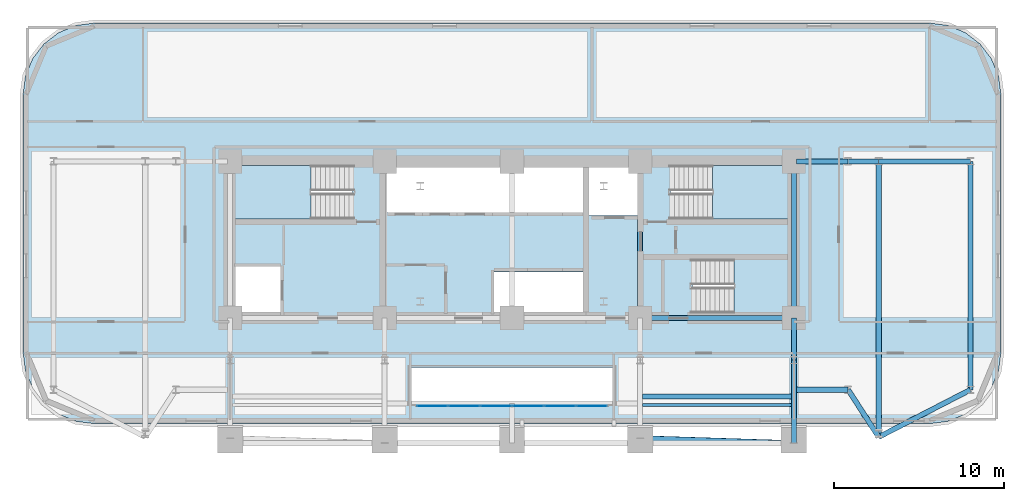
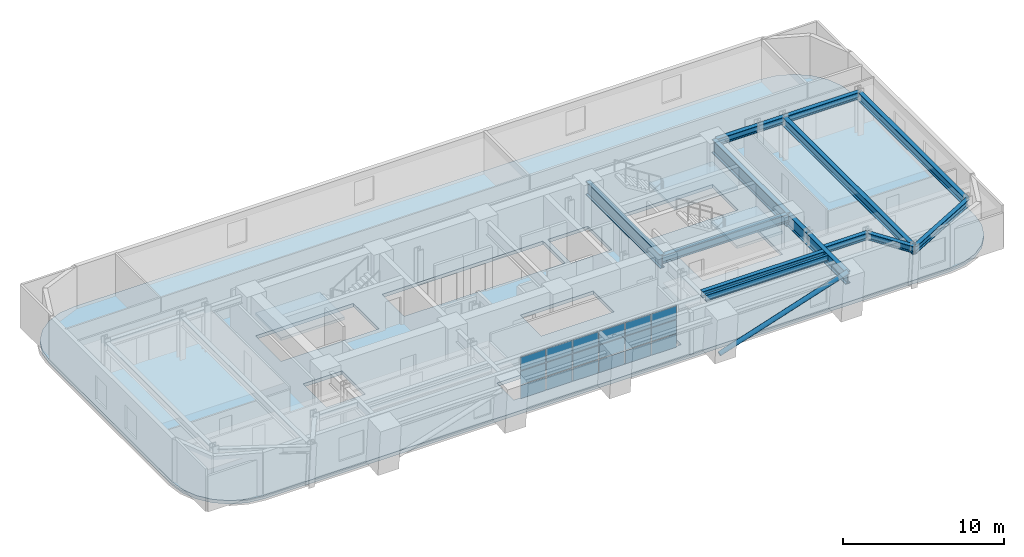
# One storey, part 6 of 14: 18 plates, 15 beams, 4 slabs, 1 member, 4 elements without a shape of their own.
"""IFC4 building model written with IfcOpenShell, lengths in metres."""

from ifc_helpers import new_model, si_unit, direction, frame, origin, origin_2d, place, context, subcontext, project, spatial, polyline, rectangle, hollow_circle, i_section, outline, extrude, material, layer, layer_set, material_profile, profile_set, type_object, element, aggregate, save


model = new_model("IFC4")

# Units and contexts
model_context = context("Model", 3, precision=1e-05, world=origin(), true_north=direction((0.0, 1.0)))
body_context = subcontext(model_context, "Body", "Model", "MODEL_VIEW")
ifc_project = project(units=[si_unit("LENGTHUNIT", "METRE"), si_unit("AREAUNIT", "SQUARE_METRE"), si_unit("VOLUMEUNIT", "CUBIC_METRE"), si_unit("PLANEANGLEUNIT", "RADIAN"), si_unit("MASSUNIT", "GRAM", prefix="KILO")], contexts=[model_context])

# Site, building, storey
site_placement = place(None, origin())
site = spatial("IfcSite", under=ifc_project, at=site_placement, CompositionType="ELEMENT")
building_placement = place(site_placement, origin())
building = spatial("IfcBuilding", under=site, at=building_placement, Name="Zarnavel Station Tower", CompositionType="ELEMENT")
storey_placement = place(building_placement, frame((0.0, 0.0, 60.5)))
storey = spatial("IfcBuildingStorey", under=building, at=storey_placement, Name="L16", CompositionType="ELEMENT", Elevation=60.5)

# Member
ifc_material_1 = material(Name="Steel S355J2", Category="steel")
ifc_material_profile_1 = material_profile(ifc_material_1, hollow_circle(Radius=0.161865234375, WallThickness=0.012451171875, at=origin_2d()), Name="CHS323.9x12.5")
ifc_profile_set_1 = profile_set([ifc_material_profile_1], Name="Steel S355J2")
member_type = type_object("IfcMemberType", Name="DB_EXT_CHS324", PredefinedType="BRACE", material=ifc_profile_set_1)
member_placement = place(storey_placement, frame((36.35009765625, 20.74560546875, 0.0), z_axis=(0.94104157458, -0.030540439576, 0.336909537505), x_axis=(0.032436790978, 0.999473788846, 0.0)))
element("IfcMember", 1, at=member_placement, inside=storey, type_object=member_type, Name="L16 Persian Exterior Diagonal Frame Brace 2", PredefinedType="BRACE", context=body_context, shape_type="SweptSolid", body=[
    extrude(hollow_circle(Radius=0.161865234375, WallThickness=0.012451171875, at=origin_2d()), origin(), (0.0, 0.0, 1.0), 9.61669921875),
])

# Beams
ifc_material_2 = material(Name="Steel S355J2", Category="steel")
ifc_material_profile_2 = material_profile(ifc_material_2, i_section(OverallWidth=0.300048828125, OverallDepth=0.43994140625, WebThickness=0.011474609375, FlangeThickness=0.02099609375, FilletRadius=0.027099609375, at=origin_2d()), Name="HEA450")
ifc_profile_set_2 = profile_set([ifc_material_profile_2], Name="Steel S355J2")
beam_type_1 = type_object("IfcBeamType", Name="FB_HEA450", PredefinedType="BEAM", material=ifc_profile_set_2)
beam_1_placement = place(storey_placement, frame((36.4951171875, 23.20068359375, 3.02001953125), z_axis=(1.0, 0.0, 0.0), x_axis=(0.0, 1.0, 0.0)))
element("IfcBeam", 2, at=beam_1_placement, inside=storey, type_object=beam_type_1, Name="L16 East Bay Beam 2", PredefinedType="BEAM", context=body_context, shape_type="SweptSolid", body=[
    extrude(i_section(OverallWidth=0.300048828125, OverallDepth=0.43994140625, WebThickness=0.011474609375, FlangeThickness=0.02099609375, FilletRadius=0.027099609375, at=origin_2d()), origin(), (0.0, 0.0, 1.0), 8.759765625),
])
ifc_material_3 = material(Name="Steel S355J2", Category="steel")
ifc_material_profile_3 = material_profile(ifc_material_3, i_section(OverallWidth=0.18994140625, OverallDepth=0.449951171875, WebThickness=0.009521484375, FlangeThickness=0.0146484375, FilletRadius=0.02099609375, at=origin_2d()), Name="IPE450")
ifc_profile_set_3 = profile_set([ifc_material_profile_3], Name="Steel S355J2")
beam_type_2 = type_object("IfcBeamType", Name="FB_IPE450", PredefinedType="BEAM", material=ifc_profile_set_3)
beam_2_placement = place(storey_placement, frame((36.4951171875, 22.701416015625, 3.014892578125), z_axis=(1.0, 0.0, 0.0), x_axis=(0.0, 1.0, 0.0)))
element("IfcBeam", 3, at=beam_2_placement, inside=storey, type_object=beam_type_2, Name="L16 East Bay Beam 1", PredefinedType="BEAM", context=body_context, shape_type="SweptSolid", body=[
    extrude(i_section(OverallWidth=0.18994140625, OverallDepth=0.449951171875, WebThickness=0.009521484375, FlangeThickness=0.0146484375, FilletRadius=0.02099609375, at=origin_2d()), origin(), (0.0, 0.0, 1.0), 8.759765625),
])
ifc_material_4 = material(Name="Steel S355J2", Category="steel")
ifc_material_profile_4 = material_profile(ifc_material_4, i_section(OverallWidth=0.300048828125, OverallDepth=0.5, WebThickness=0.014404296875, FlangeThickness=0.028076171875, FilletRadius=0.027099609375, at=origin_2d()), Name="HEB500")
ifc_profile_set_4 = profile_set([ifc_material_profile_4], Name="Steel S355J2")
beam_type_3 = type_object("IfcBeamType", Name="FG_HEB500", PredefinedType="USERDEFINED", material=ifc_profile_set_4)
for number, where, z_axis, x_axis, name in (
    (4, (45.544921875, 23.60009765625, 2.989990234375), (1.0, 0.0, 0.0), (0.0, 1.0, 0.0), "L16 East Wing South Tie 1"),
    (5, (45.544921875, 37.050048828125, 2.989990234375), (1.0, 0.0, 0.0), (0.0, 1.0, 0.0), "L16 East Wing North Tie 1"),
):
    element("IfcBeam", number, at=place(storey_placement, frame(where, z_axis=z_axis, x_axis=x_axis)), inside=storey, type_object=beam_type_3, Name=name, ObjectType="GIRDER", PredefinedType="USERDEFINED", context=body_context, shape_type="SweptSolid", body=[
        extrude(i_section(OverallWidth=0.300048828125, OverallDepth=0.5, WebThickness=0.014404296875, FlangeThickness=0.028076171875, FilletRadius=0.027099609375, at=origin_2d()), origin(), (0.0, 0.0, 1.0), 3.05517578125),
    ])
beam_3_placement = place(storey_placement, frame((48.60009765625, 23.60009765625, 2.989990234375), z_axis=(0.542851242409, -0.839828868648, 0.0), x_axis=(0.839828868648, 0.542851242409, 0.0)))
element("IfcBeam", 6, at=beam_3_placement, inside=storey, type_object=beam_type_3, Name="L16 East Wing South Tie 2", ObjectType="GIRDER", PredefinedType="USERDEFINED", context=body_context, shape_type="SweptSolid", body=[
    extrude(i_section(OverallWidth=0.300048828125, OverallDepth=0.5, WebThickness=0.014404296875, FlangeThickness=0.028076171875, FilletRadius=0.027099609375, at=origin_2d()), origin(), (0.0, 0.0, 1.0), 3.3154296875),
])
beam_4_placement = place(storey_placement, frame((48.60009765625, 37.050048828125, 2.989990234375), z_axis=(1.0, 0.0, 0.0), x_axis=(0.0, 1.0, 0.0)))
element("IfcBeam", 7, at=beam_4_placement, inside=storey, type_object=beam_type_3, Name="L16 East Wing North Tie 2", ObjectType="GIRDER", PredefinedType="USERDEFINED", context=body_context, shape_type="SweptSolid", body=[
    extrude(i_section(OverallWidth=0.300048828125, OverallDepth=0.5, WebThickness=0.014404296875, FlangeThickness=0.028076171875, FilletRadius=0.027099609375, at=origin_2d()), origin(), (0.0, 0.0, 1.0), 1.7998046875),
])
beam_5_placement = place(storey_placement, frame((50.39990234375, 20.815673828125, 2.989990234375), z_axis=(0.888804957613, 0.458285661267, 0.0), x_axis=(-0.458285661267, 0.888804957613, 0.0)))
element("IfcBeam", 8, at=beam_5_placement, inside=storey, type_object=beam_type_3, Name="L16 East Wing South Tie 3", ObjectType="GIRDER", PredefinedType="USERDEFINED", context=body_context, shape_type="SweptSolid", body=[
    extrude(i_section(OverallWidth=0.300048828125, OverallDepth=0.5, WebThickness=0.014404296875, FlangeThickness=0.028076171875, FilletRadius=0.027099609375, at=origin_2d()), origin(), (0.0, 0.0, 1.0), 6.07568359375),
])
beam_6_placement = place(storey_placement, frame((50.39990234375, 37.050048828125, 2.989990234375), z_axis=(1.0, 0.0, 0.0), x_axis=(0.0, 1.0, 0.0)))
element("IfcBeam", 9, at=beam_6_placement, inside=storey, type_object=beam_type_3, Name="L16 East Wing North Tie 3", ObjectType="GIRDER", PredefinedType="USERDEFINED", context=body_context, shape_type="SweptSolid", body=[
    extrude(i_section(OverallWidth=0.300048828125, OverallDepth=0.5, WebThickness=0.014404296875, FlangeThickness=0.028076171875, FilletRadius=0.027099609375, at=origin_2d()), origin(), (0.0, 0.0, 1.0), 5.400146484375),
])
ifc_material_5 = material(Name="Steel S355J2", Category="steel")
ifc_material_profile_5 = material_profile(ifc_material_5, i_section(OverallWidth=0.300048828125, OverallDepth=0.60009765625, WebThickness=0.015380859375, FlangeThickness=0.030029296875, FilletRadius=0.027099609375, at=origin_2d()), Name="HEB600")
ifc_profile_set_5 = profile_set([ifc_material_profile_5], Name="Steel S355J2")
beam_type_4 = type_object("IfcBeamType", Name="FG_HEB600", PredefinedType="USERDEFINED", material=ifc_profile_set_5)
beam_7_placement = place(storey_placement, frame((36.35009765625, 27.820068359375, 2.93994140625), z_axis=(1.0, 0.0, 0.0), x_axis=(0.0, 1.0, 0.0)))
element("IfcBeam", 10, at=beam_7_placement, inside=storey, type_object=beam_type_4, Name="L16 Core Front Coupling Beam 4", ObjectType="GIRDER", PredefinedType="USERDEFINED", context=body_context, shape_type="SweptSolid", body=[
    extrude(i_section(OverallWidth=0.300048828125, OverallDepth=0.60009765625, WebThickness=0.015380859375, FlangeThickness=0.030029296875, FilletRadius=0.027099609375, at=origin_2d()), origin(), (0.0, 0.0, 1.0), 9.0498046875),
])
ifc_material_6 = material(Name="Steel S355J2", Category="steel")
ifc_material_profile_6 = material_profile(ifc_material_6, i_section(OverallWidth=0.300048828125, OverallDepth=0.64990234375, WebThickness=0.01611328125, FlangeThickness=0.031005859375, FilletRadius=0.027099609375, at=origin_2d()), Name="HEB650")
ifc_profile_set_6 = profile_set([ifc_material_profile_6], Name="Steel S355J2")
beam_type_5 = type_object("IfcBeamType", Name="FG_HEB650", PredefinedType="USERDEFINED", material=ifc_profile_set_6)
beam_8_placement = place(storey_placement, frame((50.39990234375, 20.815673828125, 2.9150390625), z_axis=(0.0, 1.0, 0.0), x_axis=(-1.0, 0.0, 0.0)))
element("IfcBeam", 11, at=beam_8_placement, inside=storey, type_object=beam_type_5, Name="L16 Wing NS Girder 3", ObjectType="GIRDER", PredefinedType="USERDEFINED", context=body_context, shape_type="SweptSolid", body=[
    extrude(i_section(OverallWidth=0.300048828125, OverallDepth=0.64990234375, WebThickness=0.01611328125, FlangeThickness=0.031005859375, FilletRadius=0.027099609375, at=origin_2d()), origin(), (0.0, 0.0, 1.0), 16.234375),
])
beam_9_placement = place(storey_placement, frame((55.800048828125, 23.60009765625, 2.9150390625), z_axis=(0.0, 1.0, 0.0), x_axis=(-1.0, 0.0, 0.0)))
element("IfcBeam", 12, at=beam_9_placement, inside=storey, type_object=beam_type_5, Name="L16 Wing NS Girder 4", ObjectType="GIRDER", PredefinedType="USERDEFINED", context=body_context, shape_type="SweptSolid", body=[
    extrude(i_section(OverallWidth=0.300048828125, OverallDepth=0.64990234375, WebThickness=0.01611328125, FlangeThickness=0.031005859375, FilletRadius=0.027099609375, at=origin_2d()), origin(), (0.0, 0.0, 1.0), 13.449951171875),
])
ifc_material_7 = material(Name="Steel S460M", Category="steel")
ifc_material_profile_7 = material_profile(ifc_material_7, i_section(OverallWidth=0.302001953125, OverallDepth=1.008056640625, WebThickness=0.02099609375, FlangeThickness=0.0400390625, FilletRadius=0.030029296875, at=origin_2d()), Name="HEM1000")
ifc_profile_set_7 = profile_set([ifc_material_profile_7], Name="Steel S460M")
beam_type_6 = type_object("IfcBeamType", Name="TG_HEM1000", PredefinedType="USERDEFINED", material=ifc_profile_set_7)
for number, where, z_axis, x_axis, name in (
    (13, (36.35009765625, 27.820068359375, 2.736083984375), (0.0, 1.0, 0.0), (-1.0, 0.0, 0.0), "L16 Core Spine Coupling Girder 4"),
    (14, (45.39990234375, 27.820068359375, 2.736083984375), (0.0, 1.0, 0.0), (-1.0, 0.0, 0.0), "L16 Core Spine Coupling Girder 5"),
):
    element("IfcBeam", number, at=place(storey_placement, frame(where, z_axis=z_axis, x_axis=x_axis)), inside=storey, type_object=beam_type_6, Name=name, ObjectType="GIRDER", PredefinedType="USERDEFINED", context=body_context, shape_type="SweptSolid", body=[
        extrude(i_section(OverallWidth=0.302001953125, OverallDepth=1.008056640625, WebThickness=0.02099609375, FlangeThickness=0.0400390625, FilletRadius=0.030029296875, at=origin_2d()), origin(), (0.0, 0.0, 1.0), 9.22998046875),
    ])
ifc_material_8 = material(Name="Steel S460M", Category="steel")
ifc_material_profile_8 = material_profile(ifc_material_8, i_section(OverallWidth=0.302001953125, OverallDepth=0.909912109375, WebThickness=0.02099609375, FlangeThickness=0.0400390625, FilletRadius=0.030029296875, at=origin_2d()), Name="HEM900")
ifc_profile_set_8 = profile_set([ifc_material_profile_8], Name="Steel S460M")
beam_type_7 = type_object("IfcBeamType", Name="TG_HEM900", PredefinedType="USERDEFINED", material=ifc_profile_set_8)
beam_10_placement = place(storey_placement, frame((45.39990234375, 20.451904296875, 2.784912109375), z_axis=(0.0, 1.0, 0.0), x_axis=(-1.0, 0.0, 0.0)))
element("IfcBeam", 15, at=beam_10_placement, inside=storey, type_object=beam_type_7, Name="L16 South-Zone NS Girder 5", ObjectType="GIRDER", PredefinedType="USERDEFINED", context=body_context, shape_type="SweptSolid", body=[
    extrude(i_section(OverallWidth=0.302001953125, OverallDepth=0.909912109375, WebThickness=0.02099609375, FlangeThickness=0.0400390625, FilletRadius=0.030029296875, at=origin_2d()), origin(), (0.0, 0.0, 1.0), 4.898193359375),
])
beam_11_placement = place(storey_placement, frame((45.39990234375, 25.35009765625, 2.784912109375), z_axis=(0.0, 1.0, 0.0), x_axis=(-1.0, 0.0, 0.0)))
element("IfcBeam", 16, at=beam_11_placement, inside=storey, type_object=beam_type_7, Name="L16 Inner-Zone NS Girder 5", ObjectType="GIRDER", PredefinedType="USERDEFINED", context=body_context, shape_type="SweptSolid", body=[
    extrude(i_section(OverallWidth=0.302001953125, OverallDepth=0.909912109375, WebThickness=0.02099609375, FlangeThickness=0.0400390625, FilletRadius=0.030029296875, at=origin_2d()), origin(), (0.0, 0.0, 1.0), 2.469970703125),
])

# Curtain wall, plates
ifc_material_9 = material(Name="Aluminium Dark Anodised and Solar-Control Glass", Category="aluminium")
ifc_layer_1 = layer(ifc_material_9, 0.179931640625)
ifc_layer_set_1 = layer_set([ifc_layer_1], Name="CWS2")
curtain_wall_type = type_object("IfcCurtainWallType", Name="CWS2", PredefinedType="NOTDEFINED", material=ifc_layer_set_1)
curtain_wall_placement = place(storey_placement, origin())
curtain_wall = element("IfcCurtainWall", 17, at=curtain_wall_placement, inside=storey, type_object=curtain_wall_type, Name="L16 Curtain Wall CWS2-L16-AS", PredefinedType="NOTDEFINED")
ifc_material_10 = material(Name="Double Low-E Dark Solar-Control Glass", Category="glass")
ifc_layer_2 = layer(ifc_material_10, 0.028076171875)
ifc_layer_set_2 = layer_set([ifc_layer_2], Name="CWS2_PNL")
plate_type = type_object("IfcPlateType", Name="CWS2_PNL", PredefinedType="CURTAIN_PANEL", material=ifc_layer_set_2)
plate_1_placement = place(storey_placement, frame((24.106689453125, 22.64990234375, 0.06005859375), z_axis=(0.0, 0.0, 1.0), x_axis=(1.0, 0.0, 0.0)))
plate_1 = element("IfcPlate", 18, at=plate_1_placement, type_object=plate_type, Name="CW2 panel 1.1", PredefinedType="CURTAIN_PANEL", context=body_context, shape_type="SweptSolid", body=[
    extrude(rectangle(XDim=1.793212890625, YDim=0.028076171875, at=origin_2d()), origin(), (0.0, 0.0, 1.0), 0.989990234375),
])
plate_2_placement = place(storey_placement, frame((24.106689453125, 22.64990234375, 1.110107421875), z_axis=(0.0, 0.0, 1.0), x_axis=(1.0, 0.0, 0.0)))
plate_2 = element("IfcPlate", 19, at=plate_2_placement, type_object=plate_type, Name="CW2 panel 1.2", PredefinedType="CURTAIN_PANEL", context=body_context, shape_type="SweptSolid", body=[
    extrude(rectangle(XDim=1.793212890625, YDim=0.028076171875, at=origin_2d()), origin(), (0.0, 0.0, 1.0), 1.02001953125),
])
plate_3_placement = place(storey_placement, frame((24.106689453125, 22.64990234375, 2.18994140625), z_axis=(0.0, 0.0, 1.0), x_axis=(1.0, 0.0, 0.0)))
plate_3 = element("IfcPlate", 20, at=plate_3_placement, type_object=plate_type, Name="CW2 panel 1.3", PredefinedType="CURTAIN_PANEL", context=body_context, shape_type="SweptSolid", body=[
    extrude(rectangle(XDim=1.793212890625, YDim=0.028076171875, at=origin_2d()), origin(), (0.0, 0.0, 1.0), 0.989990234375),
])
plate_4_placement = place(storey_placement, frame((25.97509765625, 22.64990234375, 0.06005859375), z_axis=(0.0, 0.0, 1.0), x_axis=(1.0, 0.0, 0.0)))
plate_4 = element("IfcPlate", 21, at=plate_4_placement, type_object=plate_type, Name="CW2 panel 2.1", PredefinedType="CURTAIN_PANEL", context=body_context, shape_type="SweptSolid", body=[
    extrude(rectangle(XDim=1.8232421875, YDim=0.028076171875, at=origin_2d()), origin(), (0.0, 0.0, 1.0), 0.989990234375),
])
plate_5_placement = place(storey_placement, frame((25.97509765625, 22.64990234375, 1.110107421875), z_axis=(0.0, 0.0, 1.0), x_axis=(1.0, 0.0, 0.0)))
plate_5 = element("IfcPlate", 22, at=plate_5_placement, type_object=plate_type, Name="CW2 panel 2.2", PredefinedType="CURTAIN_PANEL", context=body_context, shape_type="SweptSolid", body=[
    extrude(rectangle(XDim=1.8232421875, YDim=0.028076171875, at=origin_2d()), origin(), (0.0, 0.0, 1.0), 1.02001953125),
])
plate_6_placement = place(storey_placement, frame((25.97509765625, 22.64990234375, 2.18994140625), z_axis=(0.0, 0.0, 1.0), x_axis=(1.0, 0.0, 0.0)))
plate_6 = element("IfcPlate", 23, at=plate_6_placement, type_object=plate_type, Name="CW2 panel 2.3", PredefinedType="CURTAIN_PANEL", context=body_context, shape_type="SweptSolid", body=[
    extrude(rectangle(XDim=1.8232421875, YDim=0.028076171875, at=origin_2d()), origin(), (0.0, 0.0, 1.0), 0.989990234375),
])
plate_7_placement = place(storey_placement, frame((27.8583984375, 22.64990234375, 0.06005859375), z_axis=(0.0, 0.0, 1.0), x_axis=(1.0, 0.0, 0.0)))
plate_7 = element("IfcPlate", 24, at=plate_7_placement, type_object=plate_type, Name="CW2 panel 3.1", PredefinedType="CURTAIN_PANEL", context=body_context, shape_type="SweptSolid", body=[
    extrude(rectangle(XDim=1.8232421875, YDim=0.028076171875, at=origin_2d()), origin(), (0.0, 0.0, 1.0), 0.989990234375),
])
plate_8_placement = place(storey_placement, frame((27.8583984375, 22.64990234375, 1.110107421875), z_axis=(0.0, 0.0, 1.0), x_axis=(1.0, 0.0, 0.0)))
plate_8 = element("IfcPlate", 25, at=plate_8_placement, type_object=plate_type, Name="CW2 panel 3.2", PredefinedType="CURTAIN_PANEL", context=body_context, shape_type="SweptSolid", body=[
    extrude(rectangle(XDim=1.8232421875, YDim=0.028076171875, at=origin_2d()), origin(), (0.0, 0.0, 1.0), 1.02001953125),
])
plate_9_placement = place(storey_placement, frame((27.8583984375, 22.64990234375, 2.18994140625), z_axis=(0.0, 0.0, 1.0), x_axis=(1.0, 0.0, 0.0)))
plate_9 = element("IfcPlate", 26, at=plate_9_placement, type_object=plate_type, Name="CW2 panel 3.3", PredefinedType="CURTAIN_PANEL", context=body_context, shape_type="SweptSolid", body=[
    extrude(rectangle(XDim=1.8232421875, YDim=0.028076171875, at=origin_2d()), origin(), (0.0, 0.0, 1.0), 0.989990234375),
])
plate_10_placement = place(storey_placement, frame((29.74169921875, 22.64990234375, 0.06005859375), z_axis=(0.0, 0.0, 1.0), x_axis=(1.0, 0.0, 0.0)))
plate_10 = element("IfcPlate", 27, at=plate_10_placement, type_object=plate_type, Name="CW2 panel 4.1", PredefinedType="CURTAIN_PANEL", context=body_context, shape_type="SweptSolid", body=[
    extrude(rectangle(XDim=1.8232421875, YDim=0.028076171875, at=origin_2d()), origin(), (0.0, 0.0, 1.0), 0.989990234375),
])
plate_11_placement = place(storey_placement, frame((29.74169921875, 22.64990234375, 1.110107421875), z_axis=(0.0, 0.0, 1.0), x_axis=(1.0, 0.0, 0.0)))
plate_11 = element("IfcPlate", 28, at=plate_11_placement, type_object=plate_type, Name="CW2 panel 4.2", PredefinedType="CURTAIN_PANEL", context=body_context, shape_type="SweptSolid", body=[
    extrude(rectangle(XDim=1.8232421875, YDim=0.028076171875, at=origin_2d()), origin(), (0.0, 0.0, 1.0), 1.02001953125),
])
plate_12_placement = place(storey_placement, frame((29.74169921875, 22.64990234375, 2.18994140625), z_axis=(0.0, 0.0, 1.0), x_axis=(1.0, 0.0, 0.0)))
plate_12 = element("IfcPlate", 29, at=plate_12_placement, type_object=plate_type, Name="CW2 panel 4.3", PredefinedType="CURTAIN_PANEL", context=body_context, shape_type="SweptSolid", body=[
    extrude(rectangle(XDim=1.8232421875, YDim=0.028076171875, at=origin_2d()), origin(), (0.0, 0.0, 1.0), 0.989990234375),
])
plate_13_placement = place(storey_placement, frame((31.625, 22.64990234375, 0.06005859375), z_axis=(0.0, 0.0, 1.0), x_axis=(1.0, 0.0, 0.0)))
plate_13 = element("IfcPlate", 30, at=plate_13_placement, type_object=plate_type, Name="CW2 panel 5.1", PredefinedType="CURTAIN_PANEL", context=body_context, shape_type="SweptSolid", body=[
    extrude(rectangle(XDim=1.8232421875, YDim=0.028076171875, at=origin_2d()), origin(), (0.0, 0.0, 1.0), 0.989990234375),
])
plate_14_placement = place(storey_placement, frame((31.625, 22.64990234375, 1.110107421875), z_axis=(0.0, 0.0, 1.0), x_axis=(1.0, 0.0, 0.0)))
plate_14 = element("IfcPlate", 31, at=plate_14_placement, type_object=plate_type, Name="CW2 panel 5.2", PredefinedType="CURTAIN_PANEL", context=body_context, shape_type="SweptSolid", body=[
    extrude(rectangle(XDim=1.8232421875, YDim=0.028076171875, at=origin_2d()), origin(), (0.0, 0.0, 1.0), 1.02001953125),
])
plate_15_placement = place(storey_placement, frame((31.625, 22.64990234375, 2.18994140625), z_axis=(0.0, 0.0, 1.0), x_axis=(1.0, 0.0, 0.0)))
plate_15 = element("IfcPlate", 32, at=plate_15_placement, type_object=plate_type, Name="CW2 panel 5.3", PredefinedType="CURTAIN_PANEL", context=body_context, shape_type="SweptSolid", body=[
    extrude(rectangle(XDim=1.8232421875, YDim=0.028076171875, at=origin_2d()), origin(), (0.0, 0.0, 1.0), 0.989990234375),
])
plate_16_placement = place(storey_placement, frame((33.493408203125, 22.64990234375, 0.06005859375), z_axis=(0.0, 0.0, 1.0), x_axis=(1.0, 0.0, 0.0)))
plate_16 = element("IfcPlate", 33, at=plate_16_placement, type_object=plate_type, Name="CW2 panel 6.1", PredefinedType="CURTAIN_PANEL", context=body_context, shape_type="SweptSolid", body=[
    extrude(rectangle(XDim=1.793212890625, YDim=0.028076171875, at=origin_2d()), origin(), (0.0, 0.0, 1.0), 0.989990234375),
])
plate_17_placement = place(storey_placement, frame((33.493408203125, 22.64990234375, 1.110107421875), z_axis=(0.0, 0.0, 1.0), x_axis=(1.0, 0.0, 0.0)))
plate_17 = element("IfcPlate", 34, at=plate_17_placement, type_object=plate_type, Name="CW2 panel 6.2", PredefinedType="CURTAIN_PANEL", context=body_context, shape_type="SweptSolid", body=[
    extrude(rectangle(XDim=1.793212890625, YDim=0.028076171875, at=origin_2d()), origin(), (0.0, 0.0, 1.0), 1.02001953125),
])
plate_18_placement = place(storey_placement, frame((33.493408203125, 22.64990234375, 2.18994140625), z_axis=(0.0, 0.0, 1.0), x_axis=(1.0, 0.0, 0.0)))
plate_18 = element("IfcPlate", 35, at=plate_18_placement, type_object=plate_type, Name="CW2 panel 6.3", PredefinedType="CURTAIN_PANEL", context=body_context, shape_type="SweptSolid", body=[
    extrude(rectangle(XDim=1.793212890625, YDim=0.028076171875, at=origin_2d()), origin(), (0.0, 0.0, 1.0), 0.989990234375),
])
aggregate(curtain_wall, [plate_1, plate_2, plate_3, plate_4, plate_5, plate_6, plate_7, plate_8, plate_9, plate_10, plate_11, plate_12, plate_13, plate_14, plate_15, plate_16, plate_17, plate_18])

# Slab
ifc_material_11 = material(Name="Concrete C45/55", Category="concrete")
ifc_layer_3 = layer(ifc_material_11, 0.260009765625)
ifc_layer_set_3 = layer_set([ifc_layer_3], Name="SL_FLR_260")
slab_type_1 = type_object("IfcSlabType", Name="SL_FLR_260", PredefinedType="FLOOR", material=ifc_layer_set_3)
slab_1_placement = place(storey_placement, frame((0.0, 0.0, -0.260009765625)))
element("IfcSlab", 36, at=slab_1_placement, inside=storey, type_object=slab_type_1, Name="L16 Structural Floor Slab", PredefinedType="FLOOR", context=body_context, shape_type="SweptSolid", body=[
    extrude(outline(polyline([(53.39990234375, 21.60009765625), (54.487060546875, 21.7431640625), (55.5, 22.16259765625), (56.369873046875, 22.830078125), (57.037353515625, 23.699951171875), (57.456787109375, 24.712890625), (57.60009765625, 25.800048828125), (57.60009765625, 41.0), (57.456787109375, 42.0869140625), (57.037353515625, 43.10009765625), (56.369873046875, 43.9697265625), (55.5, 44.63720703125), (54.487060546875, 45.056884765625), (53.39990234375, 45.199951171875), (4.199951171875, 45.199951171875), (3.113037109375, 45.056884765625), (2.10009765625, 44.63720703125), (1.230224609375, 43.9697265625), (0.562744140625, 43.10009765625), (0.14306640625, 42.0869140625), (0.0, 41.0), (0.0, 25.800048828125), (0.14306640625, 24.712890625), (0.562744140625, 23.699951171875), (1.230224609375, 22.830078125), (2.10009765625, 22.16259765625), (3.113037109375, 21.7431640625), (4.199951171875, 21.60009765625), (53.39990234375, 21.60009765625)]), holes=[polyline([(12.39990234375, 33.659912109375), (19.409912109375, 33.659912109375), (19.409912109375, 36.820068359375), (12.39990234375, 36.820068359375), (12.39990234375, 33.659912109375)]), polyline([(38.14990234375, 33.659912109375), (45.159912109375, 33.659912109375), (45.159912109375, 36.820068359375), (38.14990234375, 36.820068359375), (38.14990234375, 33.659912109375)]), polyline([(39.419921875, 28.1201171875), (45.14990234375, 28.1201171875), (45.14990234375, 31.280029296875), (39.419921875, 31.280029296875), (39.419921875, 28.1201171875)]), polyline([(12.35009765625, 27.949951171875), (15.14990234375, 27.949951171875), (15.14990234375, 30.85009765625), (12.35009765625, 30.85009765625), (12.35009765625, 27.949951171875)]), polyline([(33.320068359375, 33.85009765625), (36.2099609375, 33.85009765625), (36.2099609375, 36.780029296875), (33.320068359375, 36.780029296875), (33.320068359375, 33.85009765625)]), polyline([(21.449951171875, 34.050048828125), (32.97998046875, 34.050048828125), (32.97998046875, 36.780029296875), (21.449951171875, 36.780029296875), (21.449951171875, 34.050048828125)]), polyline([(27.75, 27.949951171875), (32.97998046875, 27.949951171875), (32.97998046875, 30.550048828125), (27.75, 30.550048828125), (27.75, 27.949951171875)]), polyline([(22.800048828125, 22.800048828125), (34.800048828125, 22.800048828125), (34.800048828125, 24.89990234375), (22.800048828125, 24.89990234375), (22.800048828125, 22.800048828125)])]), origin(), (0.0, 0.0, 1.0), 0.260009765625),
])

# Stair, slab
ifc_material_12 = material(Name="Concrete C45/55", Category="concrete")
stair_type = type_object("IfcStairType", Name="ST_CORE_150", PredefinedType="HALF_TURN_STAIR", material=ifc_material_12)
stair_1_placement = place(storey_placement, origin())
stair_1 = element("IfcStair", 37, at=stair_1_placement, inside=storey, type_object=stair_type, Name="L16 Core Exit Stair ST1", PredefinedType="HALF_TURN_STAIR")
ifc_material_13 = material(Name="Concrete C45/55", Category="concrete")
ifc_layer_4 = layer(ifc_material_13, 0.199951171875)
ifc_layer_set_4 = layer_set([ifc_layer_4], Name="SL_STAIR_LAND_200")
slab_type_2 = type_object("IfcSlabType", Name="SL_STAIR_LAND_200", PredefinedType="LANDING", material=ifc_layer_set_4)
slab_2_placement = place(storey_placement, frame((0.0, 0.0, 1.550048828125)))
slab_2 = element("IfcSlab", 38, at=slab_2_placement, type_object=slab_type_2, Name="ST1 landing 1", PredefinedType="LANDING", context=body_context, shape_type="SweptSolid", body=[
    extrude(outline(polyline([(16.9599609375, 36.820068359375), (12.39990234375, 36.820068359375), (12.39990234375, 33.659912109375), (16.9599609375, 33.659912109375), (16.9599609375, 36.820068359375)])), origin(), (0.0, 0.0, 1.0), 0.199951171875),
])
aggregate(stair_1, [slab_2])

stair_2_placement = place(storey_placement, origin())
stair_2 = element("IfcStair", 39, at=stair_2_placement, inside=storey, type_object=stair_type, Name="L16 Core Exit Stair ST2", PredefinedType="HALF_TURN_STAIR")
slab_3_placement = place(storey_placement, frame((0.0, 0.0, 1.550048828125)))
slab_3 = element("IfcSlab", 40, at=slab_3_placement, type_object=slab_type_2, Name="ST2 landing 1", PredefinedType="LANDING", context=body_context, shape_type="SweptSolid", body=[
    extrude(outline(polyline([(40.60009765625, 33.659912109375), (45.159912109375, 33.659912109375), (45.159912109375, 36.820068359375), (40.60009765625, 36.820068359375), (40.60009765625, 33.659912109375)])), origin(), (0.0, 0.0, 1.0), 0.199951171875),
])
aggregate(stair_2, [slab_3])

stair_3_placement = place(storey_placement, origin())
stair_3 = element("IfcStair", 41, at=stair_3_placement, inside=storey, type_object=stair_type, Name="L16 Core Exit Stair ST3", PredefinedType="HALF_TURN_STAIR")
slab_4_placement = place(storey_placement, frame((0.0, 0.0, 1.550048828125)))
slab_4 = element("IfcSlab", 42, at=slab_4_placement, type_object=slab_type_2, Name="ST3 landing 1", PredefinedType="LANDING", context=body_context, shape_type="SweptSolid", body=[
    extrude(outline(polyline([(41.8701171875, 28.1201171875), (45.14990234375, 28.1201171875), (45.14990234375, 31.280029296875), (41.8701171875, 31.280029296875), (41.8701171875, 28.1201171875)])), origin(), (0.0, 0.0, 1.0), 0.199951171875),
])
aggregate(stair_3, [slab_4])

save(model, "model.ifc")
